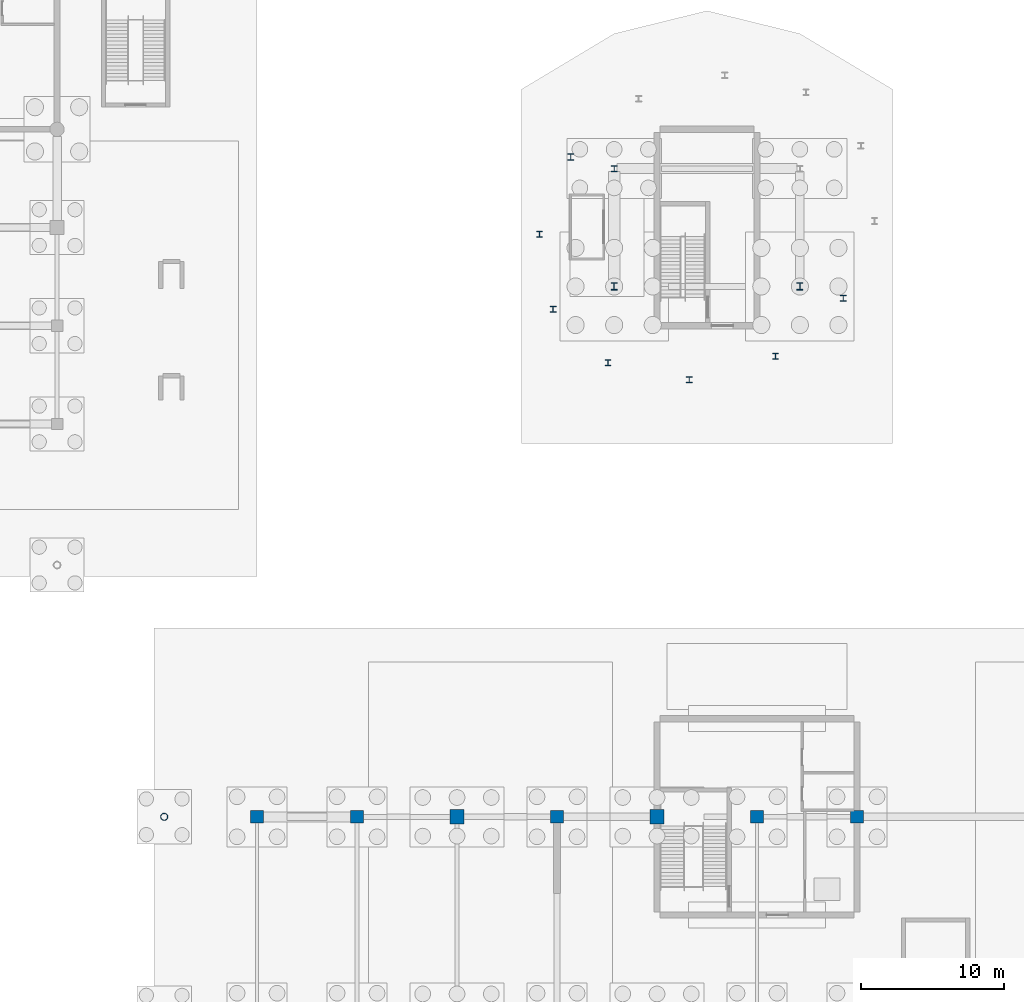
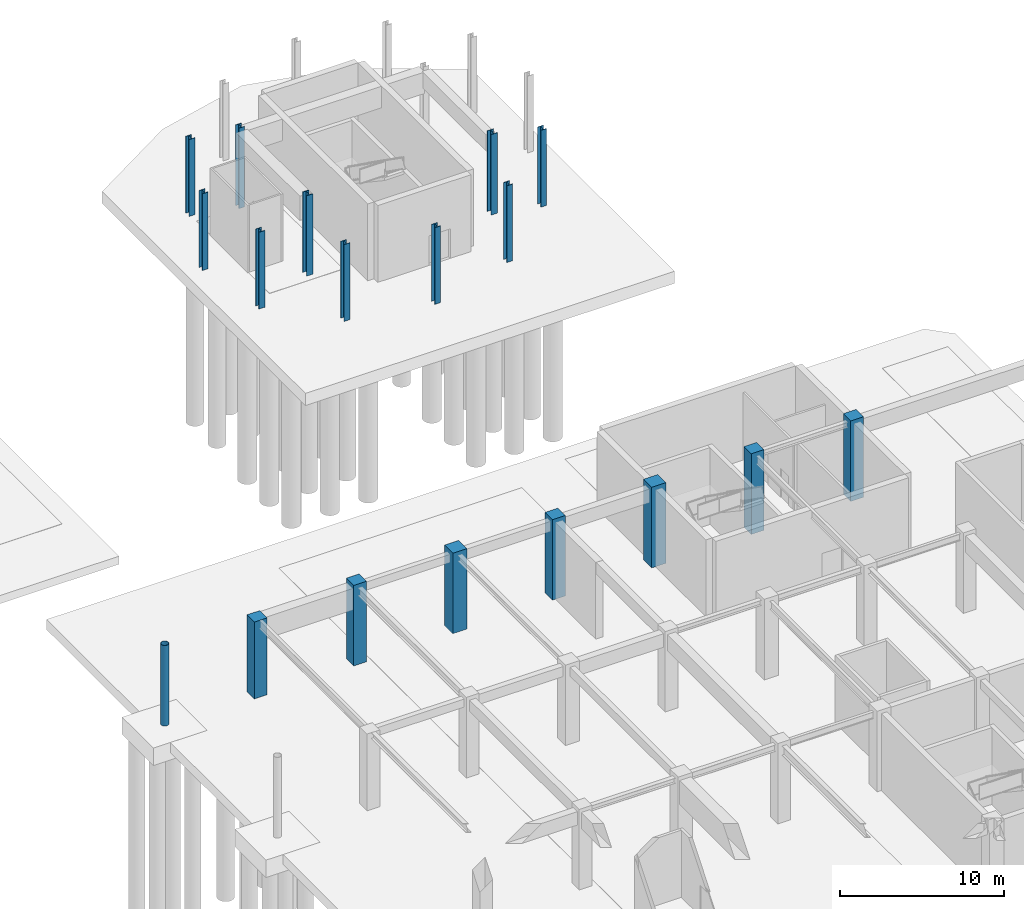
# One storey, part 27 of 62: 18 columns.
"""IFC4 building model written with IfcOpenShell, lengths in metres."""

from ifc_helpers import new_model, si_unit, direction, frame, origin, origin_2d, place, context, subcontext, project, spatial, rectangle, hollow_circle, i_section, extrude, material, material_profile, profile_set, type_object, element, save


model = new_model("IFC4")

# Units and contexts
model_context = context("Model", 3, precision=1e-05, world=origin(), true_north=direction((0.0, 1.0)))
body_context = subcontext(model_context, "Body", "Model", "MODEL_VIEW")
ifc_project = project(units=[si_unit("LENGTHUNIT", "METRE"), si_unit("AREAUNIT", "SQUARE_METRE"), si_unit("VOLUMEUNIT", "CUBIC_METRE"), si_unit("PLANEANGLEUNIT", "RADIAN"), si_unit("MASSUNIT", "GRAM", prefix="KILO")], contexts=[model_context])

# Site, building, storey
site_placement = place(None, origin())
site = spatial("IfcSite", under=ifc_project, at=site_placement, CompositionType="ELEMENT")
building_placement = place(site_placement, origin())
building = spatial("IfcBuilding", under=site, at=building_placement, Name="Linyun Crest Stadium", CompositionType="ELEMENT")
storey_placement = place(building_placement, frame((0.0, 0.0, -6.0)))
storey = spatial("IfcBuildingStorey", under=building, at=storey_placement, Name="B1", CompositionType="ELEMENT", Elevation=-6.0)

# Columns
ifc_material_1 = material(Name="Concrete C50", Category="concrete")
ifc_material_profile_1 = material_profile(ifc_material_1, rectangle(XDim=0.89990234375, YDim=0.89990234375, at=origin_2d()), Name="RC 900x900")
ifc_profile_set_1 = profile_set([ifc_material_profile_1], Name="Concrete C50")
column_type_1 = type_object("IfcColumnType", Name="C04", PredefinedType="COLUMN", material=ifc_profile_set_1)
column_1_placement = place(storey_placement, frame((42.0, 43.375, 0.0), z_axis=(0.0, 0.0, 1.0), x_axis=(1.0, 0.0, 0.0)))
element("IfcColumn", 1, at=column_1_placement, inside=storey, type_object=column_type_1, Name="Column C04 B1 304", PredefinedType="COLUMN", context=body_context, shape_type="SweptSolid", body=[
    extrude(rectangle(XDim=0.89990234375, YDim=0.89990234375, at=origin_2d()), origin(), (0.0, 0.0, 1.0), 5.719970703125),
])
for number, where, z_axis, x_axis, name in (
    (2, (49.0, 43.375, 0.0), (0.0, 0.0, 1.0), (1.0, 0.0, 0.0), "Column C04 B1 319"),
    (3, (63.0, 43.375, 0.0), (0.0, 0.0, 1.0), (1.0, 0.0, 0.0), "Column C04 B1 388"),
    (4, (77.0, 43.375, 0.0), (0.0, 0.0, 1.0), (1.0, 0.0, 0.0), "Column C04 B1 476"),
    (5, (84.0, 43.375, 0.0), (0.0, 0.0, 1.0), (1.0, 0.0, 0.0), "Column C04 B1 523"),
):
    element("IfcColumn", number, at=place(storey_placement, frame(where, z_axis=z_axis, x_axis=x_axis)), inside=storey, type_object=column_type_1, Name=name, PredefinedType="COLUMN", context=body_context, shape_type="SweptSolid", body=[
        extrude(rectangle(XDim=0.89990234375, YDim=0.89990234375, at=origin_2d()), origin(), (0.0, 0.0, 1.0), 5.998046875),
    ])
ifc_material_2 = material(Name="Concrete C50", Category="concrete")
ifc_material_profile_2 = material_profile(ifc_material_2, rectangle(XDim=1.0, YDim=1.0, at=origin_2d()), Name="RC 1000x1000")
ifc_profile_set_2 = profile_set([ifc_material_profile_2], Name="Concrete C50")
column_type_2 = type_object("IfcColumnType", Name="C05", PredefinedType="COLUMN", material=ifc_profile_set_2)
for number, where, z_axis, x_axis, name in (
    (6, (56.0, 43.375, 0.0), (0.0, 0.0, 1.0), (1.0, 0.0, 0.0), "Column C05 B1 349"),
    (7, (70.0, 43.375, 0.0), (0.0, 0.0, 1.0), (1.0, 0.0, 0.0), "Column C05 B1 435"),
):
    element("IfcColumn", number, at=place(storey_placement, frame(where, z_axis=z_axis, x_axis=x_axis)), inside=storey, type_object=column_type_2, Name=name, PredefinedType="COLUMN", context=body_context, shape_type="SweptSolid", body=[
        extrude(rectangle(XDim=1.0, YDim=1.0, at=origin_2d()), origin(), (0.0, 0.0, 1.0), 5.998046875),
    ])
ifc_material_3 = material(Name="Steel Q355C", Category="steel")
ifc_material_profile_3 = material_profile(ifc_material_3, i_section(OverallWidth=0.406982421875, OverallDepth=0.427978515625, WebThickness=0.02001953125, FlangeThickness=0.034912109375, at=origin_2d()), Name="HW 428x407")
ifc_profile_set_3 = profile_set([ifc_material_profile_3], Name="Steel Q355C")
column_type_3 = type_object("IfcColumnType", Name="SC03", PredefinedType="COLUMN", material=ifc_profile_set_3)
column_2_placement = place(storey_placement, frame((67.0, 88.75, 0.0), z_axis=(0.0, 0.0, 1.0), x_axis=(1.0, 0.0, 0.0)))
element("IfcColumn", 8, at=column_2_placement, inside=storey, type_object=column_type_3, Name="Column SC03 B1 836", PredefinedType="COLUMN", context=body_context, shape_type="SweptSolid", body=[
    extrude(i_section(OverallWidth=0.406982421875, OverallDepth=0.427978515625, WebThickness=0.02001953125, FlangeThickness=0.034912109375, at=origin_2d()), origin(), (0.0, 0.0, 1.0), 5.998046875),
])
for number, where, z_axis, x_axis, name in (
    (9, (63.967041015625, 89.56103515625, 0.0), (0.0, 0.0, 1.0), (1.0, 0.0, 0.0), "Pod V-leg base column SC03 B1 1010"),
    (10, (61.777099609375, 84.16796875, 0.0), (0.0, 0.0, 1.0), (1.0, 0.0, 0.0), "Pod V-leg base column SC03 B1 1014"),
    (11, (62.72802734375, 78.89697265625, 0.0), (0.0, 0.0, 1.0), (1.0, 0.0, 0.0), "Pod V-leg base column SC03 B1 1018"),
    (12, (66.56591796875, 75.162109375, 0.0), (0.0, 0.0, 1.0), (1.0, 0.0, 0.0), "Pod V-leg base column SC03 B1 1022"),
    (13, (72.260986328125, 73.9619140625, 0.0), (0.0, 0.0, 1.0), (1.0, 0.0, 0.0), "Pod V-leg base column SC03 B1 1026"),
    (14, (78.2890625, 75.618896484375, 0.0), (0.0, 0.0, 1.0), (1.0, 0.0, 0.0), "Pod V-leg base column SC03 B1 1030"),
    (15, (83.032958984375, 79.68896484375, 0.0), (0.0, 0.0, 1.0), (1.0, 0.0, 0.0), "Pod V-leg base column SC03 B1 1034"),
):
    element("IfcColumn", number, at=place(storey_placement, frame(where, z_axis=z_axis, x_axis=x_axis)), inside=storey, type_object=column_type_3, Name=name, PredefinedType="COLUMN", context=body_context, shape_type="SweptSolid", body=[
        extrude(i_section(OverallWidth=0.406982421875, OverallDepth=0.427978515625, WebThickness=0.02001953125, FlangeThickness=0.034912109375, at=origin_2d()), origin(), (0.0, 0.0, 1.0), 5.718017578125),
    ])
ifc_material_4 = material(Name="Steel Q420C", Category="steel")
ifc_material_profile_4 = material_profile(ifc_material_4, i_section(OverallWidth=0.431884765625, OverallDepth=0.498046875, WebThickness=0.02392578125, FlangeThickness=0.0380859375, at=origin_2d()), Name="HW 498x432")
ifc_profile_set_4 = profile_set([ifc_material_profile_4], Name="Steel Q420C")
column_type_4 = type_object("IfcColumnType", Name="SC04", PredefinedType="COLUMN", material=ifc_profile_set_4)
for number, where, z_axis, x_axis, name in (
    (16, (67.0, 80.5, 0.0), (0.0, 0.0, 1.0), (1.0, 0.0, 0.0), "Column SC04 B1 822"),
    (17, (80.0, 80.5, 0.0), (0.0, 0.0, 1.0), (1.0, 0.0, 0.0), "Column SC04 B1 829"),
):
    element("IfcColumn", number, at=place(storey_placement, frame(where, z_axis=z_axis, x_axis=x_axis)), inside=storey, type_object=column_type_4, Name=name, PredefinedType="COLUMN", context=body_context, shape_type="SweptSolid", body=[
        extrude(i_section(OverallWidth=0.431884765625, OverallDepth=0.498046875, WebThickness=0.02392578125, FlangeThickness=0.0380859375, at=origin_2d()), origin(), (0.0, 0.0, 1.0), 5.998046875),
    ])
ifc_material_5 = material(Name="Steel Q355C", Category="steel")
ifc_material_profile_5 = material_profile(ifc_material_5, hollow_circle(Radius=0.25390625, WallThickness=0.02490234375, at=origin_2d()), Name="CHS 508x25")
ifc_profile_set_5 = profile_set([ifc_material_profile_5], Name="Steel Q355C")
column_type_5 = type_object("IfcColumnType", Name="SC05", PredefinedType="COLUMN", material=ifc_profile_set_5)
column_3_placement = place(storey_placement, frame((35.5, 43.375, 0.0), z_axis=(0.0, 0.0, 1.0), x_axis=(1.0, 0.0, 0.0)))
element("IfcColumn", 18, at=column_3_placement, inside=storey, type_object=column_type_5, Name="Arch colonnade column SC05 B1 32", PredefinedType="COLUMN", context=body_context, shape_type="SweptSolid", body=[
    extrude(hollow_circle(Radius=0.25390625, WallThickness=0.02490234375, at=origin_2d()), origin(), (0.0, 0.0, 1.0), 6.0),
])

save(model, "model.ifc")
